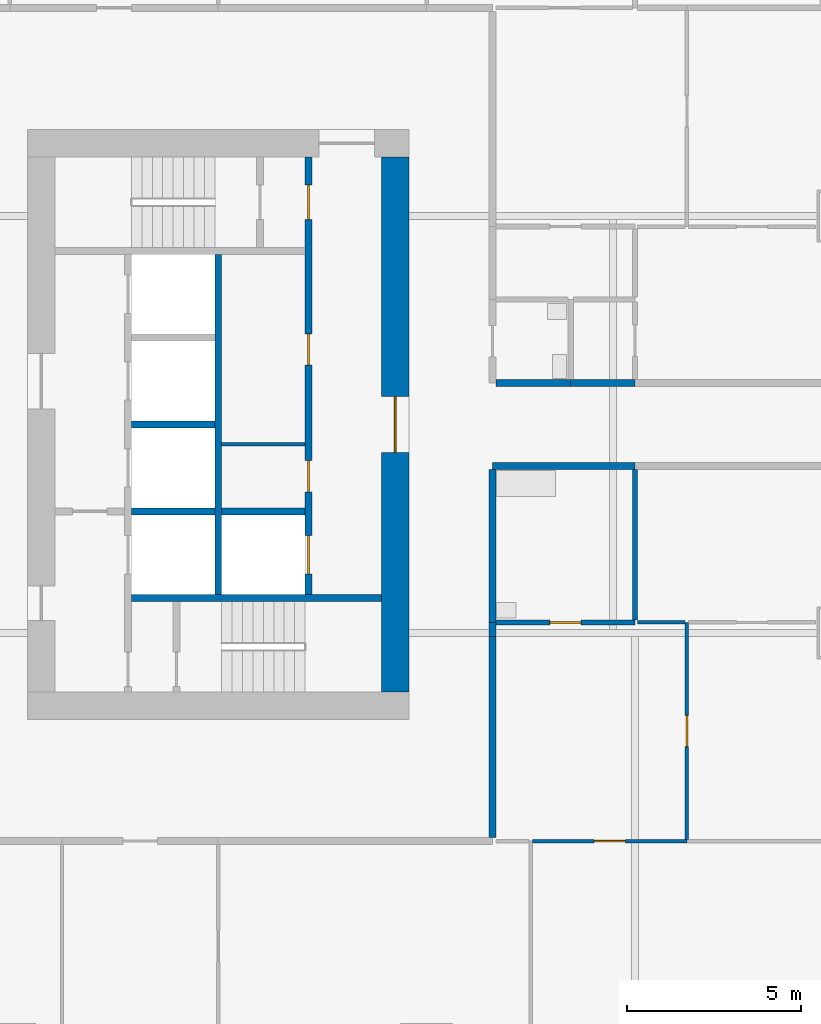
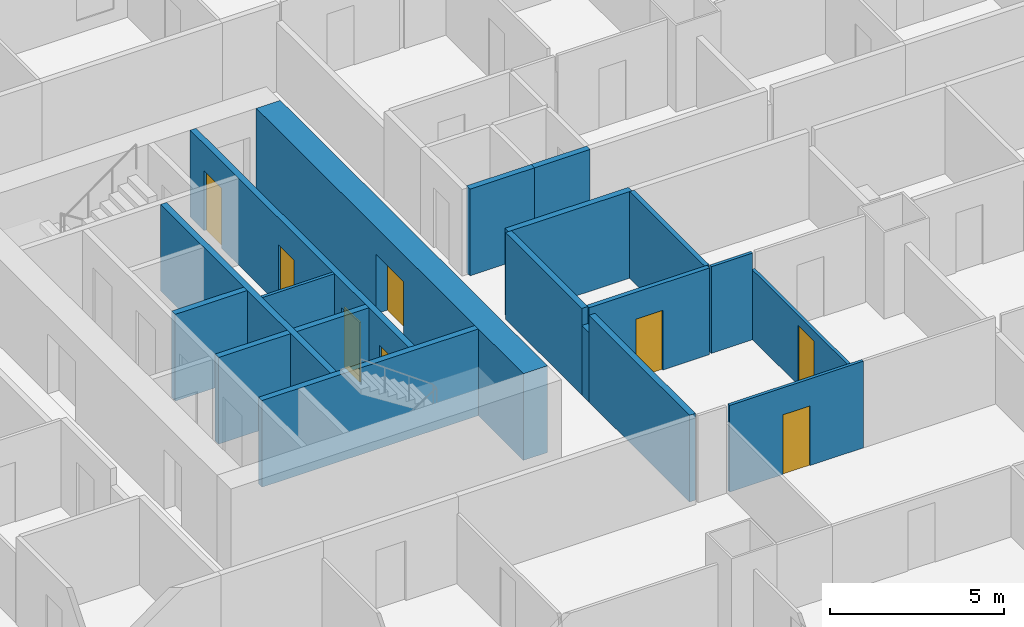
# One storey, part 4 of 14: 19 walls, 8 doors, 8 openings.
"""IFC4 building model written with IfcOpenShell, lengths in metres."""

from ifc_helpers import new_model, si_unit, direction, frame, frame_2d, origin, place, context, subcontext, project, spatial, rectangle, extrude, material, layer, layer_set, type_object, element, fill, save


model = new_model("IFC4")

# Units and contexts
model_context = context("Model", 3, precision=1e-05, world=origin(), true_north=direction((0.0, 1.0)))
body_context = subcontext(model_context, "Body", "Model", "MODEL_VIEW")
ifc_project = project(units=[si_unit("LENGTHUNIT", "METRE"), si_unit("AREAUNIT", "SQUARE_METRE"), si_unit("VOLUMEUNIT", "CUBIC_METRE"), si_unit("PLANEANGLEUNIT", "RADIAN"), si_unit("MASSUNIT", "GRAM", prefix="KILO")], contexts=[model_context])

# Site, building, storey
site_placement = place(None, origin())
site = spatial("IfcSite", under=ifc_project, at=site_placement, CompositionType="ELEMENT")
building_placement = place(site_placement, origin())
building = spatial("IfcBuilding", under=site, at=building_placement, Name="Kitamizu Gate Tower and Museum", CompositionType="ELEMENT")
storey_placement = place(building_placement, frame((0.0, 0.0, 33.449951171875)))
storey = spatial("IfcBuildingStorey", under=building, at=storey_placement, Name="L06", CompositionType="ELEMENT", Elevation=33.449951171875)

# Wall, opening, door
ifc_material_1 = material(Name="Concrete Fc60", Category="concrete")
ifc_layer_1 = layer(ifc_material_1, 0.800048828125)
ifc_layer_set_1 = layer_set([ifc_layer_1], Name="Concrete Fc60")
wall_type_1 = type_object("IfcWallType", Name="Core wall 800", PredefinedType="SHEAR", material=ifc_layer_set_1)
wall_1_placement = place(storey_placement, frame((23.10009765625, 22.300048828125, 0.0), z_axis=(0.0, 0.0, 1.0), x_axis=(0.0, 1.0, 0.0)))
wall_1 = element("IfcWall", 1, at=wall_1_placement, inside=storey, type_object=wall_type_1, Name="Core wall WARC", PredefinedType="SHEAR", context=body_context, shape_type="SweptSolid", body=[
    extrude(rectangle(XDim=15.39990234375, YDim=0.800048828125, at=frame_2d((7.699951171875, 0.0))), origin(), (0.0, 0.0, 1.0), 3.050048828125),
])
opening_1_placement = place(wall_1_placement, frame((6.89990234375, 0.0, 0.0)))
opening_1 = element("IfcOpeningElement", 2, at=opening_1_placement, cuts=wall_1, Name="Opening L06-086", PredefinedType="OPENING", context=body_context, shape_type="SweptSolid", body=[
    extrude(rectangle(XDim=1.60009765625, YDim=2.10009765625, at=frame_2d((0.800048828125, 1.050048828125))), frame((0.0, 0.41015625, 0.0), z_axis=(0.0, -1.0, 0.0), x_axis=(1.0, 0.0, 0.0)), (0.0, 0.0, 1.0), 0.820068359375),
])
ifc_material_2 = material(Name="Timber door set", Category="wood")
door_type_1 = type_object("IfcDoorType", Name="Entrance door 1600", OperationType="DOUBLE_DOOR_SINGLE_SWING", PredefinedType="DOOR", material=ifc_material_2)
door_1_placement = place(opening_1_placement, origin())
door_1 = element("IfcDoor", 3, at=door_1_placement, inside=storey, type_object=door_type_1, Name="Lobby door L06-086", OperationType="DOUBLE_DOOR_SINGLE_SWING", OverallHeight=2.10009765625, OverallWidth=1.60009765625, PredefinedType="DOOR", context=body_context, shape_type="SweptSolid", body=[
    extrude(rectangle(XDim=1.60009765625, YDim=2.10009765625, at=frame_2d((0.800048828125, 1.050048828125))), frame((0.0, 0.02490234375, 0.0), z_axis=(0.0, -1.0, 0.0), x_axis=(1.0, 0.0, 0.0)), (0.0, 0.0, 1.0), 0.050048828125),
])
fill(opening_1, door_1)

# Wall
ifc_material_3 = material(Name="Gypsum board on galvanised stud")
ifc_layer_2 = layer(ifc_material_3, 0.10009765625)
ifc_layer_set_2 = layer_set([ifc_layer_2], Name="Gypsum board on galvanised stud")
wall_type_2 = type_object("IfcWallType", Name="Partition 100", PredefinedType="PARTITIONING", material=ifc_layer_set_2)
wall_2_placement = place(storey_placement, frame((18.10009765625, 29.425048828125, 0.0), z_axis=(0.0, 0.0, 1.0), x_axis=(1.0, 0.0, 0.0)))
element("IfcWall", 4, at=wall_2_placement, inside=storey, type_object=wall_type_2, Name="Partition WPF1", PredefinedType="PARTITIONING", context=body_context, shape_type="SweptSolid", body=[
    extrude(rectangle(XDim=2.39990234375, YDim=0.10009765625, at=frame_2d((1.199951171875, 0.0))), origin(), (0.0, 0.0, 1.0), 3.050048828125),
])

# Wall, opening, door
ifc_material_4 = material(Name="Gypsum board on galvanised stud")
ifc_layer_3 = layer(ifc_material_4, 0.10009765625)
ifc_layer_set_3 = layer_set([ifc_layer_3], Name="Gypsum board on galvanised stud")
wall_type_3 = type_object("IfcWallType", Name="Partition 100 NOT RATED", PredefinedType="PARTITIONING", material=ifc_layer_set_3)
wall_3_placement = place(storey_placement, frame((31.5, 18.0, 0.0), z_axis=(0.0, 0.0, 1.0), x_axis=(-1.0, 0.0, 0.0)))
wall_3 = element("IfcWall", 5, at=wall_3_placement, inside=storey, type_object=wall_type_3, Name="Partition L06-036", PredefinedType="PARTITIONING", context=body_context, shape_type="SweptSolid", body=[
    extrude(rectangle(XDim=4.449951171875, YDim=0.10009765625, at=frame_2d((2.22509765625, 0.0))), origin(), (0.0, 0.0, 1.0), 3.050048828125),
])
opening_2_placement = place(wall_3_placement, frame((1.77490234375, 0.0, 0.0)))
opening_2 = element("IfcOpeningElement", 6, at=opening_2_placement, cuts=wall_3, Name="Opening L06-015", PredefinedType="OPENING", context=body_context, shape_type="SweptSolid", body=[
    extrude(rectangle(XDim=0.89990234375, YDim=2.10009765625, at=frame_2d((0.449951171875, 1.050048828125))), frame((0.0, 0.06005859375, 0.0), z_axis=(0.0, -1.0, 0.0), x_axis=(1.0, 0.0, 0.0)), (0.0, 0.0, 1.0), 0.1201171875),
])
ifc_material_5 = material(Name="Timber door set", Category="wood")
door_type_2 = type_object("IfcDoorType", Name="Room door 900", OperationType="NOTDEFINED", PredefinedType="DOOR", material=ifc_material_5)
door_2_placement = place(opening_2_placement, frame((0.89990234375, 0.0, 0.0), x_axis=(-1.0, 0.0, 0.0)))
door_2 = element("IfcDoor", 7, at=door_2_placement, inside=storey, type_object=door_type_2, Name="Door L06-015", OperationType="SINGLE_SWING_LEFT", OverallHeight=2.10009765625, OverallWidth=0.89990234375, PredefinedType="DOOR", context=body_context, shape_type="SweptSolid", body=[
    extrude(rectangle(XDim=0.89990234375, YDim=2.10009765625, at=frame_2d((0.449951171875, 1.050048828125))), frame((0.0, 0.02490234375, 0.0), z_axis=(0.0, -1.0, 0.0), x_axis=(1.0, 0.0, 0.0)), (0.0, 0.0, 1.0), 0.050048828125),
])
fill(opening_2, door_2)

wall_4_placement = place(storey_placement, frame((31.5, 18.050048828125, 0.0), z_axis=(0.0, 0.0, 1.0), x_axis=(0.0, 1.0, 0.0)))
wall_4 = element("IfcWall", 8, at=wall_4_placement, inside=storey, type_object=wall_type_3, Name="Partition L06-039", PredefinedType="PARTITIONING", context=body_context, shape_type="SweptSolid", body=[
    extrude(rectangle(XDim=6.25, YDim=0.10009765625, at=frame_2d((3.125, 0.0))), origin(), (0.0, 0.0, 1.0), 2.449951171875),
])
opening_3_placement = place(wall_4_placement, frame((2.675048828125, 0.0, 0.0)))
opening_3 = element("IfcOpeningElement", 9, at=opening_3_placement, cuts=wall_4, Name="Opening L06-016", PredefinedType="OPENING", context=body_context, shape_type="SweptSolid", body=[
    extrude(rectangle(XDim=0.89990234375, YDim=2.10009765625, at=frame_2d((0.449951171875, 1.050048828125))), frame((0.0, 0.06005859375, 0.0), z_axis=(0.0, -1.0, 0.0), x_axis=(1.0, 0.0, 0.0)), (0.0, 0.0, 1.0), 0.1201171875),
])
door_3_placement = place(opening_3_placement, frame((0.89990234375, 0.0, 0.0), x_axis=(-1.0, 0.0, 0.0)))
door_3 = element("IfcDoor", 10, at=door_3_placement, inside=storey, type_object=door_type_2, Name="Door L06-016", OperationType="SINGLE_SWING_RIGHT", OverallHeight=2.10009765625, OverallWidth=0.89990234375, PredefinedType="DOOR", context=body_context, shape_type="SweptSolid", body=[
    extrude(rectangle(XDim=0.89990234375, YDim=2.10009765625, at=frame_2d((0.449951171875, 1.050048828125))), frame((0.0, 0.02490234375, 0.0), z_axis=(0.0, -1.0, 0.0), x_axis=(1.0, 0.0, 0.0)), (0.0, 0.0, 1.0), 0.050048828125),
])
fill(opening_3, door_3)

# Wall
wall_5_placement = place(storey_placement, frame((31.449951171875, 24.300048828125, 0.0), z_axis=(0.0, 0.0, 1.0), x_axis=(-1.0, 0.0, 0.0)))
element("IfcWall", 11, at=wall_5_placement, inside=storey, type_object=wall_type_3, Name="Partition L06-041", PredefinedType="PARTITIONING", context=body_context, shape_type="SweptSolid", body=[
    extrude(rectangle(XDim=1.375, YDim=0.10009765625, at=frame_2d((0.6875, 0.0))), origin(), (0.0, 0.0, 1.0), 3.050048828125),
])

# Wall, opening, door
ifc_material_6 = material(Name="Gypsum board on galvanised stud")
ifc_layer_4 = layer(ifc_material_6, 0.14990234375)
ifc_layer_set_4 = layer_set([ifc_layer_4], Name="Gypsum board on galvanised stud")
wall_type_4 = type_object("IfcWallType", Name="Partition 150", PredefinedType="PARTITIONING", material=ifc_layer_set_4)
wall_6_placement = place(storey_placement, frame((30.0, 24.300048828125, 0.0), z_axis=(0.0, 0.0, 1.0), x_axis=(-1.0, 0.0, 0.0)))
wall_6 = element("IfcWall", 12, at=wall_6_placement, inside=storey, type_object=wall_type_4, Name="Partition L06-040", PredefinedType="PARTITIONING", context=body_context, shape_type="SweptSolid", body=[
    extrude(rectangle(XDim=4.0, YDim=0.14990234375, at=frame_2d((2.0, 0.0))), origin(), (0.0, 0.0, 1.0), 3.050048828125),
])
opening_4_placement = place(wall_6_placement, frame((1.550048828125, 0.0, 0.0)))
opening_4 = element("IfcOpeningElement", 13, at=opening_4_placement, cuts=wall_6, Name="Opening L06-017", PredefinedType="OPENING", context=body_context, shape_type="SweptSolid", body=[
    extrude(rectangle(XDim=0.89990234375, YDim=2.10009765625, at=frame_2d((0.449951171875, 1.050048828125))), frame((0.0, 0.0849609375, 0.0), z_axis=(0.0, -1.0, 0.0), x_axis=(1.0, 0.0, 0.0)), (0.0, 0.0, 1.0), 0.169921875),
])
ifc_material_7 = material(Name="Timber door set", Category="wood")
door_type_3 = type_object("IfcDoorType", Name="Bathroom door 900", OperationType="NOTDEFINED", PredefinedType="DOOR", material=ifc_material_7)
door_4_placement = place(opening_4_placement, frame((0.89990234375, 0.0, 0.0), x_axis=(-1.0, 0.0, 0.0)))
door_4 = element("IfcDoor", 14, at=door_4_placement, inside=storey, type_object=door_type_3, Name="Bathroom door L06-017", OperationType="SINGLE_SWING_LEFT", OverallHeight=2.10009765625, OverallWidth=0.89990234375, PredefinedType="DOOR", context=body_context, shape_type="SweptSolid", body=[
    extrude(rectangle(XDim=0.89990234375, YDim=2.10009765625, at=frame_2d((0.449951171875, 1.050048828125))), frame((0.0, 0.02490234375, 0.0), z_axis=(0.0, -1.0, 0.0), x_axis=(1.0, 0.0, 0.0)), (0.0, 0.0, 1.0), 0.050048828125),
])
fill(opening_4, door_4)

# Walls
wall_7_placement = place(storey_placement, frame((30.0, 24.375, 0.0), z_axis=(0.0, 0.0, 1.0), x_axis=(0.0, 1.0, 0.0)))
element("IfcWall", 15, at=wall_7_placement, inside=storey, type_object=wall_type_4, Name="Partition L06-046", PredefinedType="PARTITIONING", context=body_context, shape_type="SweptSolid", body=[
    extrude(rectangle(XDim=4.324951171875, YDim=0.14990234375, at=frame_2d((2.16259765625, 0.0))), origin(), (0.0, 0.0, 1.0), 3.050048828125),
])
ifc_material_8 = material(Name="Gypsum board on galvanised stud")
ifc_layer_5 = layer(ifc_material_8, 0.199951171875)
ifc_layer_set_5 = layer_set([ifc_layer_5], Name="Gypsum board on galvanised stud")
wall_type_5 = type_object("IfcWallType", Name="Partition 200", PredefinedType="PARTITIONING", material=ifc_layer_set_5)
wall_8_placement = place(storey_placement, frame((25.89990234375, 24.300048828125, 0.0), z_axis=(0.0, 0.0, 1.0), x_axis=(0.0, -1.0, 0.0)))
element("IfcWall", 16, at=wall_8_placement, inside=storey, type_object=wall_type_5, Name="Partition L06-042", PredefinedType="PARTITIONING", context=body_context, shape_type="SweptSolid", body=[
    extrude(rectangle(XDim=0.400146484375, YDim=0.199951171875, at=frame_2d((0.2001953125, 0.0))), origin(), (0.0, 0.0, 1.0), 2.449951171875),
])
wall_9_placement = place(storey_placement, frame((25.89990234375, 23.89990234375, 0.0), z_axis=(0.0, 0.0, 1.0), x_axis=(0.0, -1.0, 0.0)))
element("IfcWall", 17, at=wall_9_placement, inside=storey, type_object=wall_type_5, Name="Partition L06-043", PredefinedType="PARTITIONING", context=body_context, shape_type="SweptSolid", body=[
    extrude(rectangle(XDim=5.7998046875, YDim=0.199951171875, at=frame_2d((2.89990234375, 0.0))), origin(), (0.0, 0.0, 1.0), 3.050048828125),
])
wall_10_placement = place(storey_placement, frame((30.0, 28.800048828125, 0.0), z_axis=(0.0, 0.0, 1.0), x_axis=(-1.0, 0.0, 0.0)))
element("IfcWall", 18, at=wall_10_placement, inside=storey, type_object=wall_type_5, Name="Partition L06-047", PredefinedType="PARTITIONING", context=body_context, shape_type="SweptSolid", body=[
    extrude(rectangle(XDim=4.10009765625, YDim=0.199951171875, at=frame_2d((2.050048828125, 0.0))), origin(), (0.0, 0.0, 1.0), 3.050048828125),
])
wall_11_placement = place(storey_placement, frame((25.89990234375, 28.699951171875, 0.0), z_axis=(0.0, 0.0, 1.0), x_axis=(0.0, -1.0, 0.0)))
element("IfcWall", 19, at=wall_11_placement, inside=storey, type_object=wall_type_5, Name="Partition L06-048", PredefinedType="PARTITIONING", context=body_context, shape_type="SweptSolid", body=[
    extrude(rectangle(XDim=4.39990234375, YDim=0.199951171875, at=frame_2d((2.199951171875, 0.0))), origin(), (0.0, 0.0, 1.0), 3.050048828125),
])
wall_12_placement = place(storey_placement, frame((26.0, 31.199951171875, 0.0), z_axis=(0.0, 0.0, 1.0), x_axis=(1.0, 0.0, 0.0)))
element("IfcWall", 20, at=wall_12_placement, inside=storey, type_object=wall_type_5, Name="Partition L06-171", PredefinedType="PARTITIONING", context=body_context, shape_type="SweptSolid", body=[
    extrude(rectangle(XDim=2.14990234375, YDim=0.199951171875, at=frame_2d((1.074951171875, 0.0))), origin(), (0.0, 0.0, 1.0), 3.050048828125),
])
wall_13_placement = place(storey_placement, frame((28.14990234375, 31.199951171875, 0.0), z_axis=(0.0, 0.0, 1.0), x_axis=(1.0, 0.0, 0.0)))
element("IfcWall", 21, at=wall_13_placement, inside=storey, type_object=wall_type_5, Name="Partition L06-174", PredefinedType="PARTITIONING", context=body_context, shape_type="SweptSolid", body=[
    extrude(rectangle(XDim=1.85009765625, YDim=0.199951171875, at=frame_2d((0.925048828125, 0.0))), origin(), (0.0, 0.0, 1.0), 3.050048828125),
])

# Wall, openings, doors
ifc_material_9 = material(Name="Concrete Fc42", Category="concrete")
ifc_layer_6 = layer(ifc_material_9, 0.199951171875)
ifc_layer_set_6 = layer_set([ifc_layer_6], Name="Concrete Fc42")
wall_type_6 = type_object("IfcWallType", Name="Shaft wall 200", PredefinedType="SOLIDWALL", material=ifc_layer_set_6)
wall_14_placement = place(storey_placement, frame((20.60009765625, 25.10009765625, 0.0), z_axis=(0.0, 0.0, 1.0), x_axis=(0.0, 1.0, 0.0)))
wall_14 = element("IfcWall", 22, at=wall_14_placement, inside=storey, type_object=wall_type_6, Name="Shaft wall WEAST", PredefinedType="SOLIDWALL", context=body_context, shape_type="SweptSolid", body=[
    extrude(rectangle(XDim=12.599853515625, YDim=0.199951171875, at=frame_2d((6.2998046875, 0.0))), origin(), (0.0, 0.0, 1.0), 3.050048828125),
])
opening_5_placement = place(wall_14_placement, frame((0.60009765625, 0.0, 0.0)))
opening_5 = element("IfcOpeningElement", 23, at=opening_5_placement, cuts=wall_14, Name="Opening LD", PredefinedType="OPENING", context=body_context, shape_type="SweptSolid", body=[
    extrude(rectangle(XDim=1.10009765625, YDim=2.10009765625, at=frame_2d((0.550048828125, 1.050048828125))), frame((0.0, 0.10986328125, 0.0), z_axis=(0.0, -1.0, 0.0), x_axis=(1.0, 0.0, 0.0)), (0.0, 0.0, 1.0), 0.219970703125),
])
opening_6_placement = place(wall_14_placement, frame((10.800048828125, 0.0, 0.0)))
opening_6 = element("IfcOpeningElement", 24, at=opening_6_placement, cuts=wall_14, Name="Opening L06-080", PredefinedType="OPENING", context=body_context, shape_type="SweptSolid", body=[
    extrude(rectangle(XDim=1.0, YDim=2.10009765625, at=frame_2d((0.5, 1.050048828125))), frame((0.0, 0.10986328125, 0.0), z_axis=(0.0, -1.0, 0.0), x_axis=(1.0, 0.0, 0.0)), (0.0, 0.0, 1.0), 0.219970703125),
])
opening_7_placement = place(wall_14_placement, frame((2.96240234375, 0.0, 0.0)))
opening_7 = element("IfcOpeningElement", 25, at=opening_7_placement, cuts=wall_14, Name="Opening L06-087", PredefinedType="OPENING", context=body_context, shape_type="SweptSolid", body=[
    extrude(rectangle(XDim=0.89990234375, YDim=2.10009765625, at=frame_2d((0.449951171875, 1.050048828125))), frame((0.0, 0.10986328125, 0.0), z_axis=(0.0, -1.0, 0.0), x_axis=(1.0, 0.0, 0.0)), (0.0, 0.0, 1.0), 0.219970703125),
])
opening_8_placement = place(wall_14_placement, frame((6.612548828125, 0.0, 0.0)))
opening_8 = element("IfcOpeningElement", 26, at=opening_8_placement, cuts=wall_14, Name="Opening L06-088", PredefinedType="OPENING", context=body_context, shape_type="SweptSolid", body=[
    extrude(rectangle(XDim=0.89990234375, YDim=2.10009765625, at=frame_2d((0.449951171875, 1.050048828125))), frame((0.0, 0.10986328125, 0.0), z_axis=(0.0, -1.0, 0.0), x_axis=(1.0, 0.0, 0.0)), (0.0, 0.0, 1.0), 0.219970703125),
])
ifc_material_10 = material(Name="Hollow metal door set")
door_type_4 = type_object("IfcDoorType", Name="Fire door 1000", OperationType="NOTDEFINED", PredefinedType="DOOR", material=ifc_material_10)
door_5_placement = place(opening_6_placement, origin())
door_5 = element("IfcDoor", 27, at=door_5_placement, inside=storey, type_object=door_type_4, Name="Stair lobby door L06-080", OperationType="SINGLE_SWING_LEFT", OverallHeight=2.10009765625, OverallWidth=1.0, PredefinedType="DOOR", context=body_context, shape_type="SweptSolid", body=[
    extrude(rectangle(XDim=1.0, YDim=2.10009765625, at=frame_2d((0.5, 1.050048828125))), frame((0.0, 0.02490234375, 0.0), z_axis=(0.0, -1.0, 0.0), x_axis=(1.0, 0.0, 0.0)), (0.0, 0.0, 1.0), 0.050048828125),
])
fill(opening_6, door_5)
ifc_material_11 = material(Name="Hollow metal door set")
door_type_5 = type_object("IfcDoorType", Name="Landing door 1100", OperationType="SLIDING_TO_LEFT", PredefinedType="DOOR", material=ifc_material_11)
door_6_placement = place(opening_5_placement, origin())
door_6 = element("IfcDoor", 28, at=door_6_placement, inside=storey, type_object=door_type_5, Name="Landing door WSV1", OperationType="SLIDING_TO_LEFT", OverallHeight=2.10009765625, OverallWidth=1.10009765625, PredefinedType="DOOR", context=body_context, shape_type="SweptSolid", body=[
    extrude(rectangle(XDim=1.10009765625, YDim=2.10009765625, at=frame_2d((0.550048828125, 1.050048828125))), frame((0.0, 0.02490234375, 0.0), z_axis=(0.0, -1.0, 0.0), x_axis=(1.0, 0.0, 0.0)), (0.0, 0.0, 1.0), 0.050048828125),
])
fill(opening_5, door_6)
ifc_material_12 = material(Name="Timber door set", Category="wood")
door_type_6 = type_object("IfcDoorType", Name="Service door 900", OperationType="NOTDEFINED", PredefinedType="DOOR", material=ifc_material_12)
door_7_placement = place(opening_7_placement, origin())
door_7 = element("IfcDoor", 29, at=door_7_placement, inside=storey, type_object=door_type_6, Name="Service door L06-087", OperationType="SINGLE_SWING_LEFT", OverallHeight=2.10009765625, OverallWidth=0.89990234375, PredefinedType="DOOR", context=body_context, shape_type="SweptSolid", body=[
    extrude(rectangle(XDim=0.89990234375, YDim=2.10009765625, at=frame_2d((0.449951171875, 1.050048828125))), frame((0.0, 0.02490234375, 0.0), z_axis=(0.0, -1.0, 0.0), x_axis=(1.0, 0.0, 0.0)), (0.0, 0.0, 1.0), 0.050048828125),
])
fill(opening_7, door_7)
door_8_placement = place(opening_8_placement, origin())
door_8 = element("IfcDoor", 30, at=door_8_placement, inside=storey, type_object=door_type_6, Name="Service door L06-088", OperationType="SINGLE_SWING_RIGHT", OverallHeight=2.10009765625, OverallWidth=0.89990234375, PredefinedType="DOOR", context=body_context, shape_type="SweptSolid", body=[
    extrude(rectangle(XDim=0.89990234375, YDim=2.10009765625, at=frame_2d((0.449951171875, 1.050048828125))), frame((0.0, 0.02490234375, 0.0), z_axis=(0.0, -1.0, 0.0), x_axis=(1.0, 0.0, 0.0)), (0.0, 0.0, 1.0), 0.050048828125),
])
fill(opening_8, door_8)

# Walls
wall_15_placement = place(storey_placement, frame((18.0, 25.10009765625, 0.0), z_axis=(0.0, 0.0, 1.0), x_axis=(0.0, 1.0, 0.0)))
element("IfcWall", 31, at=wall_15_placement, inside=storey, type_object=wall_type_6, Name="Shaft wall WMID", PredefinedType="SOLIDWALL", context=body_context, shape_type="SweptSolid", body=[
    extrude(rectangle(XDim=9.7998046875, YDim=0.199951171875, at=frame_2d((4.89990234375, 0.0))), origin(), (0.0, 0.0, 1.0), 3.050048828125),
])
wall_16_placement = place(storey_placement, frame((15.5, 25.0, 0.0), z_axis=(0.0, 0.0, 1.0), x_axis=(1.0, 0.0, 0.0)))
element("IfcWall", 32, at=wall_16_placement, inside=storey, type_object=wall_type_6, Name="Shaft wall WSB", PredefinedType="SOLIDWALL", context=body_context, shape_type="SweptSolid", body=[
    extrude(rectangle(XDim=7.199951171875, YDim=0.199951171875, at=frame_2d((3.60009765625, 0.0))), origin(), (0.0, 0.0, 1.0), 3.050048828125),
])
for number, where, z_axis, x_axis, name in (
    (33, (15.5, 27.5, 0.0), (0.0, 0.0, 1.0), (1.0, 0.0, 0.0), "Shaft wall WDVW0"),
    (34, (15.5, 30.0, 0.0), (0.0, 0.0, 1.0), (1.0, 0.0, 0.0), "Shaft wall WDVW1"),
    (35, (18.10009765625, 27.5, 0.0), (0.0, 0.0, 1.0), (1.0, 0.0, 0.0), "Shaft wall WDVE0"),
):
    element("IfcWall", number, at=place(storey_placement, frame(where, z_axis=z_axis, x_axis=x_axis)), inside=storey, type_object=wall_type_6, Name=name, PredefinedType="SOLIDWALL", context=body_context, shape_type="SweptSolid", body=[
        extrude(rectangle(XDim=2.39990234375, YDim=0.199951171875, at=frame_2d((1.199951171875, 0.0))), origin(), (0.0, 0.0, 1.0), 3.050048828125),
    ])

save(model, "model.ifc")
